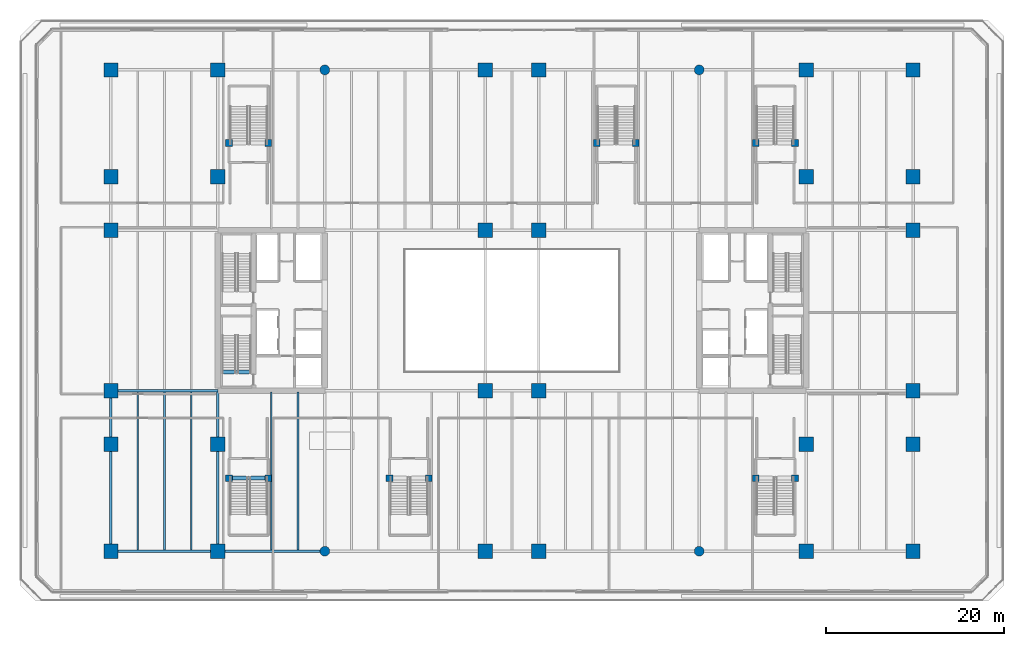
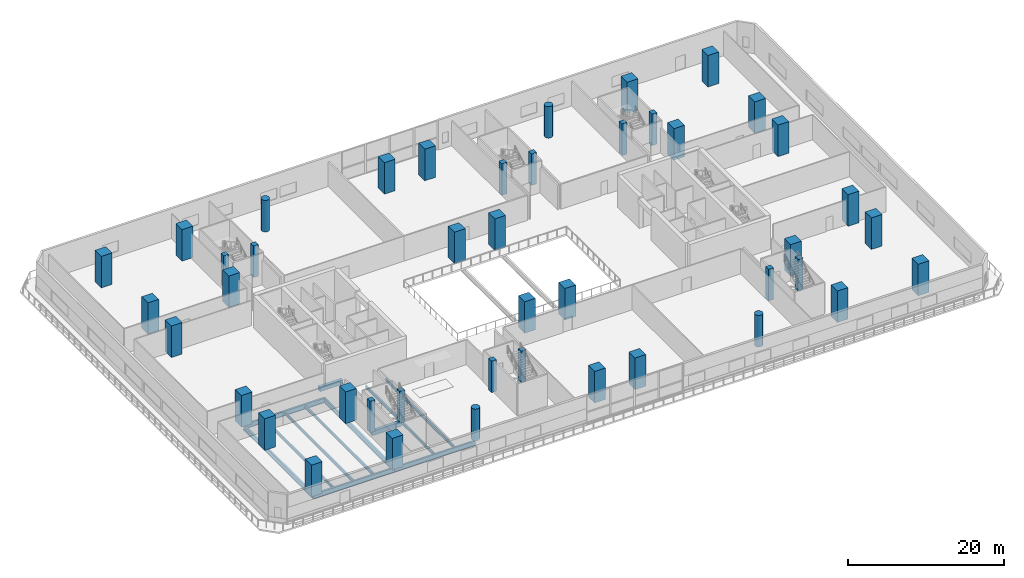
# One storey, part 1 of 27: 44 columns, 12 beams.
"""IFC4 building model written with IfcOpenShell, lengths in metres."""

import ifcopenshell
import ifcopenshell.guid

model = None  # the IFC model being written
_history = None  # IfcOwnerHistory: only IFC2X3 demands one
_inside = {}  # id of a spatial element -> (the spatial element, [elements in it])
_under = {}  # id of a project, library or spatial element -> (it, [spatial elements below it])
_declared = {}  # id of a project -> (the project, [libraries it declares])
_typed = {}  # id of a type object -> (the type object, [elements of that type])
_made_of = {}  # id of a material, layer set ... -> (it, [elements and type objects made of it])


def new_model(schema):
    """Start an empty IFC model of exactly this schema.

    Asked for "IFC4X3", IfcOpenShell would pick the latest addendum, in which some entities
    have other attributes; the version numbers below select the first issue.
    IFC2X3 requires an IfcOwnerHistory on every rooted entity: one is made here for all.
    """
    global model, _history
    if schema == "IFC4X3":
        model = ifcopenshell.file(schema_version=(4, 3, 0, 0))
    else:
        model = ifcopenshell.file(schema=schema)
    _inside.clear()
    _under.clear()
    _declared.clear()
    _typed.clear()
    _made_of.clear()
    _history = None
    if model.schema == "IFC2X3":
        org = make("IfcOrganization", Name="unknown")
        user = make(
            "IfcPersonAndOrganization",
            ThePerson=make("IfcPerson", FamilyName="unknown"),
            TheOrganization=org,
        )
        app = make(
            "IfcApplication",
            ApplicationDeveloper=org,
            Version="unknown",
            ApplicationFullName="unknown",
            ApplicationIdentifier="unknown",
        )
        _history = make(
            "IfcOwnerHistory",
            OwningUser=user,
            OwningApplication=app,
            ChangeAction="ADDED",
            CreationDate=0,
        )
    return model


def make(cls, **values):
    """One entity of the class cls with the attributes given. An attribute that is None is left unset."""
    return model.create_entity(
        cls, **{name: value for name, value in values.items() if value is not None}
    )


def rooted(cls, **values):
    """An entity with a GlobalId (a new one), such as an element, a storey or a relation."""
    return make(cls, GlobalId=ifcopenshell.guid.new(), OwnerHistory=_history, **values)


def si_unit(unit_type, name, prefix=None):
    """IfcSIUnit, for example si_unit("LENGTHUNIT", "METRE", prefix="MILLI")."""
    return make("IfcSIUnit", UnitType=unit_type, Prefix=prefix, Name=name)


def assignment(units):
    """IfcUnitAssignment: the units of a project."""
    return None if units is None else make("IfcUnitAssignment", Units=units)


def point(xyz):
    """IfcCartesianPoint."""
    return None if xyz is None else make("IfcCartesianPoint", Coordinates=xyz)


def direction(xyz):
    """IfcDirection."""
    return None if xyz is None else make("IfcDirection", DirectionRatios=xyz)


def frame(location, z_axis=None, x_axis=None):
    """IfcAxis2Placement3D, a coordinate frame: its origin and axes. An axis left out is left unset."""
    return make(
        "IfcAxis2Placement3D",
        Location=point(location),
        Axis=direction(z_axis),
        RefDirection=direction(x_axis),
    )


def frame_2d(location, x_axis=None):
    """IfcAxis2Placement2D, a coordinate frame in the plane: its origin and x axis."""
    return make(
        "IfcAxis2Placement2D", Location=point(location), RefDirection=direction(x_axis)
    )


def origin():
    """The frame at (0, 0, 0) with its axes left unset."""
    return frame((0.0, 0.0, 0.0))


def origin_2d():
    """The frame at (0, 0) in the plane with its x axis left unset."""
    return frame_2d((0.0, 0.0))


def place(relative_to, where):
    """IfcLocalPlacement: puts the frame where relative to a parent placement (None: the world)."""
    return make(
        "IfcLocalPlacement", PlacementRelTo=relative_to, RelativePlacement=where
    )


def context(
    kind, dimensions, precision=None, world=None, true_north=None, identifier=None
):
    """IfcGeometricRepresentationContext, for example the 3D "Model" context."""
    return make(
        "IfcGeometricRepresentationContext",
        ContextIdentifier=identifier,
        ContextType=kind,
        CoordinateSpaceDimension=dimensions,
        Precision=precision,
        WorldCoordinateSystem=world,
        TrueNorth=true_north,
    )


def subcontext(parent, identifier, kind, view, scale=None):
    """IfcGeometricRepresentationSubContext, for example "Body" below "Model"."""
    return make(
        "IfcGeometricRepresentationSubContext",
        ContextIdentifier=identifier,
        ContextType=kind,
        ParentContext=parent,
        TargetScale=scale,
        TargetView=view,
    )


def project(units=None, contexts=None):
    """IfcProject with its units and contexts."""
    return rooted(
        "IfcProject",
        Name="project",
        RepresentationContexts=contexts,
        UnitsInContext=assignment(units),
    )


def spatial(cls, under=None, at=None, **own):
    """A site, building, storey or space (cls), placed at a placement, below another one or the project."""
    s = rooted(cls, ObjectPlacement=at, **own)
    if under is not None:
        _under.setdefault(under.id(), (under, []))[1].append(s)
    return s


def profile(cls, at=None, kind="AREA", **sizes):
    """A parametric profile (cls). Its sizes go by their IFC names, for example OverallWidth=200.0."""
    return make(cls, ProfileType=kind, Position=at, **sizes)


def rectangle(**sizes):
    """IfcRectangleProfileDef."""
    return profile("IfcRectangleProfileDef", **sizes)


def circle(**sizes):
    """IfcCircleProfileDef."""
    return profile("IfcCircleProfileDef", **sizes)


def i_section(**sizes):
    """IfcIShapeProfileDef."""
    return profile("IfcIShapeProfileDef", **sizes)


def extrude(swept, where, along, depth):
    """IfcExtrudedAreaSolid: the profile swept, set in the frame where, extruded along a direction by depth."""
    return make(
        "IfcExtrudedAreaSolid",
        SweptArea=swept,
        Position=where,
        ExtrudedDirection=direction(along),
        Depth=depth,
    )


def shape(context_of_items, identifier, shape_type, items):
    """IfcShapeRepresentation: the items that make up one representation, for example the "Body"."""
    return make(
        "IfcShapeRepresentation",
        ContextOfItems=context_of_items,
        RepresentationIdentifier=identifier,
        RepresentationType=shape_type,
        Items=items,
    )


def material(Name=None, Category=None):
    """IfcMaterial."""
    return make("IfcMaterial", Name=Name, Category=Category)


def material_profile(
    of_material, cross_section, Name=None, Category=None, Priority=None
):
    """IfcMaterialProfile: a cross section and its material."""
    return make(
        "IfcMaterialProfile",
        Name=Name,
        Material=of_material,
        Profile=cross_section,
        Priority=Priority,
        Category=Category,
    )


def profile_set(profiles, Name=None, composite=None):
    """IfcMaterialProfileSet."""
    return make(
        "IfcMaterialProfileSet",
        Name=Name,
        MaterialProfiles=profiles,
        CompositeProfile=composite,
    )


def made_of(thing, what):
    """Note that an element or type object is made of a material, layer set ...; save() writes the relation."""
    if what is not None:
        _made_of.setdefault(what.id(), (what, []))[1].append(thing)
    return thing


def type_object(cls, material=None, **own):
    """A type object (cls), such as IfcWallType, which elements share."""
    return made_of(rooted(cls, **own), material)


def element(
    cls,
    number,
    at=None,
    inside=None,
    cuts=None,
    type_object=None,
    material=None,
    context=None,
    identifier="Body",
    shape_type=None,
    held_by="IfcProductDefinitionShape",
    body=None,
    shapes=None,
    **own,
):
    """One element of the class cls, such as IfcWall. Its Tag is "e" and its number.

    at: its placement. inside: the storey or other place that contains it. cuts: it is an
    opening in that element (IfcRelVoidsElement). A single representation is given by context,
    identifier, shape_type and body (its items); several are given by shapes. held_by: the class
    of the entity that holds the representations. save() writes the other relations.
    """
    e = rooted(cls, Tag="e%d" % number, ObjectPlacement=at, **own)
    if body is not None:
        shapes = [shape(context, identifier, shape_type, body)]
    if shapes is not None:
        e.Representation = make(held_by, Representations=shapes)
    if inside is not None:
        _inside.setdefault(inside.id(), (inside, []))[1].append(e)
    if cuts is not None:
        rooted(
            "IfcRelVoidsElement", RelatingBuildingElement=cuts, RelatedOpeningElement=e
        )
    if type_object is not None:
        _typed.setdefault(type_object.id(), (type_object, []))[1].append(e)
    return made_of(e, material)


def aggregate(whole, parts):
    """IfcRelAggregates: a whole, such as a stair, and the parts it consists of."""
    return rooted("IfcRelAggregates", RelatingObject=whole, RelatedObjects=parts)


def save(model, path):
    """Write the relations noted so far, then the file.

    IfcRelAggregates (storeys below a building ...), IfcRelContainedInSpatialStructure (elements
    in a storey), IfcRelDefinesByType, IfcRelAssociatesMaterial and IfcRelDeclares: one each for
    every whole, place, type object, material and project.
    """
    for whole, parts in _under.values():
        aggregate(whole, parts)
    for where, things in _inside.values():
        rooted(
            "IfcRelContainedInSpatialStructure",
            RelatedElements=things,
            RelatingStructure=where,
        )
    for kind, things in _typed.values():
        rooted("IfcRelDefinesByType", RelatedObjects=things, RelatingType=kind)
    for what, things in _made_of.values():
        rooted("IfcRelAssociatesMaterial", RelatedObjects=things, RelatingMaterial=what)
    for by, libraries in _declared.values():
        rooted("IfcRelDeclares", RelatingContext=by, RelatedDefinitions=libraries)
    model.write(path)


model = new_model("IFC4")

# Units and contexts
model_context = context("Model", 3, precision=1e-05, world=origin(), true_north=direction((0.0, 1.0)))
body_context = subcontext(model_context, "Body", "Model", "MODEL_VIEW")
ifc_project = project(units=[si_unit("LENGTHUNIT", "METRE"), si_unit("AREAUNIT", "SQUARE_METRE"), si_unit("VOLUMEUNIT", "CUBIC_METRE"), si_unit("PLANEANGLEUNIT", "RADIAN"), si_unit("MASSUNIT", "GRAM", prefix="KILO")], contexts=[model_context])

# Site, building, storey
site_placement = place(None, origin())
site = spatial("IfcSite", under=ifc_project, at=site_placement, CompositionType="ELEMENT")
building_placement = place(site_placement, origin())
building = spatial("IfcBuilding", under=site, at=building_placement, Name="Tanjung Sevakor Pilgrim Tower", CompositionType="ELEMENT")
storey_placement = place(building_placement, frame((0.0, 0.0, 9.89990234375)))
storey = spatial("IfcBuildingStorey", under=building, at=storey_placement, Name="L03", CompositionType="ELEMENT", Elevation=9.89990234375)

# Columns
ifc_material_1 = material(Name="Concrete C60/75", Category="concrete")
ifc_material_profile_1 = material_profile(ifc_material_1, circle(Radius=0.550048828125, at=origin_2d()))
ifc_profile_set_1 = profile_set([ifc_material_profile_1], Name="Concrete C60/75")
column_type_1 = type_object("IfcColumnType", Name="COL-C-D1100-RC-COL_D1100", PredefinedType="COLUMN", material=ifc_profile_set_1)
for number, where, z_axis, x_axis, name in (
    (1, (36.0, 6.60009765625, 0.0), (0.0, 0.0, 1.0), (1.0, 0.0, 0.0), "L03 Column MC-036-066"),
    (2, (36.0, 60.60009765625, 0.0), (0.0, 0.0, 1.0), (1.0, 0.0, 0.0), "L03 Column MC-036-606"),
    (3, (78.0, 6.60009765625, 0.0), (0.0, 0.0, 1.0), (1.0, 0.0, 0.0), "L03 Column MC-078-066"),
    (4, (78.0, 60.60009765625, 0.0), (0.0, 0.0, 1.0), (1.0, 0.0, 0.0), "L03 Column MC-078-606"),
):
    element("IfcColumn", number, at=place(storey_placement, frame(where, z_axis=z_axis, x_axis=x_axis)), inside=storey, type_object=column_type_1, Name=name, PredefinedType="COLUMN", context=body_context, shape_type="SweptSolid", body=[
        extrude(circle(Radius=0.550048828125, at=origin_2d()), origin(), (0.0, 0.0, 1.0), 4.9501953125),
    ])
ifc_material_2 = material(Name="Concrete C60/75", Category="concrete")
ifc_material_profile_2 = material_profile(ifc_material_2, rectangle(XDim=1.60009765625, YDim=1.60009765625, at=origin_2d()))
ifc_profile_set_2 = profile_set([ifc_material_profile_2], Name="Concrete C60/75")
column_type_2 = type_object("IfcColumnType", Name="COL-C-M1600-RC_1600x1600", PredefinedType="COLUMN", material=ifc_profile_set_2)
for number, where, z_axis, x_axis, name in (
    (5, (12.0, 6.60009765625, 0.0), (0.0, 0.0, 1.0), (1.0, 0.0, 0.0), "L03 Column MC-012-066"),
    (6, (12.0, 24.60009765625, 0.0), (0.0, 0.0, 1.0), (1.0, 0.0, 0.0), "L03 Column MC-012-246"),
    (7, (12.0, 42.60009765625, 0.0), (0.0, 0.0, 1.0), (1.0, 0.0, 0.0), "L03 Column MC-012-426"),
    (8, (12.0, 60.60009765625, 0.0), (0.0, 0.0, 1.0), (1.0, 0.0, 0.0), "L03 Column MC-012-606"),
    (9, (24.0, 6.60009765625, 0.0), (0.0, 0.0, 1.0), (1.0, 0.0, 0.0), "L03 Column MC-024-066"),
    (10, (24.0, 60.60009765625, 0.0), (0.0, 0.0, 1.0), (1.0, 0.0, 0.0), "L03 Column MC-024-606"),
    (11, (54.0, 6.60009765625, 0.0), (0.0, 0.0, 1.0), (1.0, 0.0, 0.0), "L03 Column MC-054-066"),
    (12, (54.0, 24.60009765625, 0.0), (0.0, 0.0, 1.0), (1.0, 0.0, 0.0), "L03 Column MC-054-246"),
    (13, (54.0, 42.60009765625, 0.0), (0.0, 0.0, 1.0), (1.0, 0.0, 0.0), "L03 Column MC-054-426"),
    (14, (54.0, 60.60009765625, 0.0), (0.0, 0.0, 1.0), (1.0, 0.0, 0.0), "L03 Column MC-054-606"),
    (15, (60.0, 6.60009765625, 0.0), (0.0, 0.0, 1.0), (1.0, 0.0, 0.0), "L03 Column MC-060-066"),
    (16, (60.0, 24.60009765625, 0.0), (0.0, 0.0, 1.0), (1.0, 0.0, 0.0), "L03 Column MC-060-246"),
    (17, (60.0, 42.60009765625, 0.0), (0.0, 0.0, 1.0), (1.0, 0.0, 0.0), "L03 Column MC-060-426"),
    (18, (60.0, 60.60009765625, 0.0), (0.0, 0.0, 1.0), (1.0, 0.0, 0.0), "L03 Column MC-060-606"),
    (19, (90.0, 6.60009765625, 0.0), (0.0, 0.0, 1.0), (1.0, 0.0, 0.0), "L03 Column MC-090-066"),
    (20, (90.0, 60.60009765625, 0.0), (0.0, 0.0, 1.0), (1.0, 0.0, 0.0), "L03 Column MC-090-606"),
    (21, (102.0, 6.60009765625, 0.0), (0.0, 0.0, 1.0), (1.0, 0.0, 0.0), "L03 Column MC-102-066"),
    (22, (102.0, 24.60009765625, 0.0), (0.0, 0.0, 1.0), (1.0, 0.0, 0.0), "L03 Column MC-102-246"),
    (23, (102.0, 42.60009765625, 0.0), (0.0, 0.0, 1.0), (1.0, 0.0, 0.0), "L03 Column MC-102-426"),
    (24, (102.0, 60.60009765625, 0.0), (0.0, 0.0, 1.0), (1.0, 0.0, 0.0), "L03 Column MC-102-606"),
    (25, (12.0, 18.60009765625, 0.0), (0.0, 0.0, 1.0), (1.0, 0.0, 0.0), "L03 Column MCE-012-186"),
    (26, (12.0, 48.60009765625, 0.0), (0.0, 0.0, 1.0), (1.0, 0.0, 0.0), "L03 Column MCE-012-486"),
    (27, (24.0, 18.60009765625, 0.0), (0.0, 0.0, 1.0), (1.0, 0.0, 0.0), "L03 Column MCE-024-186"),
    (28, (24.0, 48.60009765625, 0.0), (0.0, 0.0, 1.0), (1.0, 0.0, 0.0), "L03 Column MCE-024-486"),
    (29, (90.0, 18.60009765625, 0.0), (0.0, 0.0, 1.0), (1.0, 0.0, 0.0), "L03 Column MCE-090-186"),
    (30, (90.0, 48.60009765625, 0.0), (0.0, 0.0, 1.0), (1.0, 0.0, 0.0), "L03 Column MCE-090-486"),
    (31, (102.0, 18.60009765625, 0.0), (0.0, 0.0, 1.0), (1.0, 0.0, 0.0), "L03 Column MCE-102-186"),
    (32, (102.0, 48.60009765625, 0.0), (0.0, 0.0, 1.0), (1.0, 0.0, 0.0), "L03 Column MCE-102-486"),
):
    element("IfcColumn", number, at=place(storey_placement, frame(where, z_axis=z_axis, x_axis=x_axis)), inside=storey, type_object=column_type_2, Name=name, PredefinedType="COLUMN", context=body_context, shape_type="SweptSolid", body=[
        extrude(rectangle(XDim=1.60009765625, YDim=1.60009765625, at=origin_2d()), origin(), (0.0, 0.0, 1.0), 4.9501953125),
    ])
ifc_material_3 = material(Name="Concrete C60/75", Category="concrete")
ifc_material_profile_3 = material_profile(ifc_material_3, rectangle(XDim=0.75, YDim=0.75, at=origin_2d()))
ifc_profile_set_3 = profile_set([ifc_material_profile_3], Name="Concrete C60/75")
column_type_3 = type_object("IfcColumnType", Name="COL-C-T750-RC_750x750", PredefinedType="COLUMN", material=ifc_profile_set_3)
for number, where, z_axis, x_axis, name in (
    (33, (25.25, 14.800048828125, 0.0), (0.0, 0.0, 1.0), (1.0, 0.0, 0.0), "L03 Stair Frame Column PS1P1"),
    (34, (29.64990234375, 14.800048828125, 0.0), (0.0, 0.0, 1.0), (1.0, 0.0, 0.0), "L03 Stair Frame Column PS1P2"),
    (35, (25.25, 52.39990234375, 0.0), (0.0, 0.0, 1.0), (1.0, 0.0, 0.0), "L03 Stair Frame Column PS2P1"),
    (36, (29.64990234375, 52.39990234375, 0.0), (0.0, 0.0, 1.0), (1.0, 0.0, 0.0), "L03 Stair Frame Column PS2P2"),
    (37, (43.25, 14.800048828125, 0.0), (0.0, 0.0, 1.0), (1.0, 0.0, 0.0), "L03 Stair Frame Column PS3P1"),
    (38, (47.64990234375, 14.800048828125, 0.0), (0.0, 0.0, 1.0), (1.0, 0.0, 0.0), "L03 Stair Frame Column PS3P2"),
    (39, (66.5, 52.39990234375, 0.0), (0.0, 0.0, 1.0), (1.0, 0.0, 0.0), "L03 Stair Frame Column PS4P1"),
    (40, (70.89990234375, 52.39990234375, 0.0), (0.0, 0.0, 1.0), (1.0, 0.0, 0.0), "L03 Stair Frame Column PS4P2"),
    (41, (84.35009765625, 14.800048828125, 0.0), (0.0, 0.0, 1.0), (1.0, 0.0, 0.0), "L03 Stair Frame Column PS5P1"),
    (42, (88.75, 14.800048828125, 0.0), (0.0, 0.0, 1.0), (1.0, 0.0, 0.0), "L03 Stair Frame Column PS5P2"),
    (43, (84.35009765625, 52.39990234375, 0.0), (0.0, 0.0, 1.0), (1.0, 0.0, 0.0), "L03 Stair Frame Column PS6P1"),
    (44, (88.75, 52.39990234375, 0.0), (0.0, 0.0, 1.0), (1.0, 0.0, 0.0), "L03 Stair Frame Column PS6P2"),
):
    element("IfcColumn", number, at=place(storey_placement, frame(where, z_axis=z_axis, x_axis=x_axis)), inside=storey, type_object=column_type_3, Name=name, PredefinedType="COLUMN", context=body_context, shape_type="SweptSolid", body=[
        extrude(rectangle(XDim=0.75, YDim=0.75, at=origin_2d()), origin(), (0.0, 0.0, 1.0), 4.9501953125),
    ])

# Beams
ifc_material_4 = material(Name="Steel S355J2", Category="steel")
ifc_material_profile_4 = material_profile(ifc_material_4, i_section(OverallWidth=0.26806640625, OverallDepth=0.769775390625, WebThickness=0.015625, FlangeThickness=0.025390625, FilletRadius=0.0166015625, at=origin_2d()))
ifc_profile_set_4 = profile_set([ifc_material_profile_4], Name="Steel S355J2")
beam_type_1 = type_object("IfcBeamType", Name="BM-B-G1-UB_762x267x197", PredefinedType="BEAM", material=ifc_profile_set_4)
for number, where, z_axis, x_axis, name in (
    (45, (12.0, 6.60009765625, -0.664794921875), (0.0, 1.0, 0.0), (-1.0, 0.0, 0.0), "L03 Podium Girder NS X12-1"),
    (46, (24.0, 6.60009765625, -0.664794921875), (0.0, 1.0, 0.0), (-1.0, 0.0, 0.0), "L03 Podium Girder NS X24-1"),
):
    element("IfcBeam", number, at=place(storey_placement, frame(where, z_axis=z_axis, x_axis=x_axis)), inside=storey, type_object=beam_type_1, Name=name, PredefinedType="BEAM", context=body_context, shape_type="SweptSolid", body=[
        extrude(i_section(OverallWidth=0.26806640625, OverallDepth=0.769775390625, WebThickness=0.015625, FlangeThickness=0.025390625, FilletRadius=0.0166015625, at=origin_2d()), origin(), (0.0, 0.0, 1.0), 18.0),
    ])
ifc_material_5 = material(Name="Steel S355J2", Category="steel")
ifc_material_profile_5 = material_profile(ifc_material_5, i_section(OverallWidth=0.19287109375, OverallDepth=0.46728515625, WebThickness=0.011474609375, FlangeThickness=0.01953125, FilletRadius=0.01025390625, at=origin_2d()))
ifc_profile_set_5 = profile_set([ifc_material_profile_5], Name="Steel S355J2")
beam_type_2 = type_object("IfcBeamType", Name="BM-B-J1-UB_457x191x98", PredefinedType="JOIST", material=ifc_profile_set_5)
for number, where, z_axis, x_axis, name in (
    (47, (15.0, 6.7333984375, -0.513427734375), (0.0, 1.0, 0.0), (-1.0, 0.0, 0.0), "L03 Secondary Joist 001"),
    (48, (18.0, 6.7333984375, -0.513427734375), (0.0, 1.0, 0.0), (-1.0, 0.0, 0.0), "L03 Secondary Joist 004"),
    (49, (21.0, 6.7333984375, -0.513427734375), (0.0, 1.0, 0.0), (-1.0, 0.0, 0.0), "L03 Secondary Joist 007"),
    (50, (30.0, 6.7333984375, -0.513427734375), (0.0, 1.0, 0.0), (-1.0, 0.0, 0.0), "L03 Secondary Joist 010"),
    (51, (33.0, 6.7333984375, -0.513427734375), (0.0, 1.0, 0.0), (-1.0, 0.0, 0.0), "L03 Secondary Joist 012"),
):
    element("IfcBeam", number, at=place(storey_placement, frame(where, z_axis=z_axis, x_axis=x_axis)), inside=storey, type_object=beam_type_2, Name=name, PredefinedType="JOIST", context=body_context, shape_type="SweptSolid", body=[
        extrude(i_section(OverallWidth=0.19287109375, OverallDepth=0.46728515625, WebThickness=0.011474609375, FlangeThickness=0.01953125, FilletRadius=0.01025390625, at=origin_2d()), origin(), (0.0, 0.0, 1.0), 17.7333984375),
    ])
ifc_material_6 = material(Name="Concrete C60/75", Category="concrete")
ifc_material_profile_6 = material_profile(ifc_material_6, rectangle(XDim=0.449951171875, YDim=0.699951171875, at=origin_2d()))
ifc_profile_set_6 = profile_set([ifc_material_profile_6], Name="Concrete C60/75")
beam_type_3 = type_object("IfcBeamType", Name="BM-B-LN3-RC-BM_450x700", PredefinedType="LINTEL", material=ifc_profile_set_6)
beam_1_placement = place(storey_placement, frame((24.39990234375, 26.699951171875, -0.349853515625), z_axis=(1.0, 0.0, 0.0), x_axis=(0.0, 1.0, 0.0)))
element("IfcBeam", 52, at=beam_1_placement, inside=storey, type_object=beam_type_3, Name="L03 TS-W1 Stair Threshold Beam", PredefinedType="LINTEL", context=body_context, shape_type="SweptSolid", body=[
    extrude(rectangle(XDim=0.449951171875, YDim=0.699951171875, at=origin_2d()), origin(), (0.0, 0.0, 1.0), 3.400146484375),
])
beam_2_placement = place(storey_placement, frame((25.25, 14.800048828125, -0.349853515625), z_axis=(1.0, 0.0, 0.0), x_axis=(0.0, 1.0, 0.0)))
element("IfcBeam", 53, at=beam_2_placement, inside=storey, type_object=beam_type_3, Name="L03 PS-1 Stair Threshold Beam", PredefinedType="LINTEL", context=body_context, shape_type="SweptSolid", body=[
    extrude(rectangle(XDim=0.449951171875, YDim=0.699951171875, at=origin_2d()), origin(), (0.0, 0.0, 1.0), 4.39990234375),
])
ifc_material_7 = material(Name="Steel S355J2", Category="steel")
ifc_material_profile_7 = material_profile(ifc_material_7, i_section(OverallWidth=0.2666015625, OverallDepth=0.76220703125, WebThickness=0.014404296875, FlangeThickness=0.021484375, FilletRadius=0.0166015625, at=origin_2d()))
ifc_profile_set_7 = profile_set([ifc_material_profile_7], Name="Steel S355J2")
beam_type_4 = type_object("IfcBeamType", Name="BM-B-POD4-UB_762x267x173", PredefinedType="BEAM", material=ifc_profile_set_7)
for number, where, z_axis, x_axis, name in (
    (54, (12.0, 6.60009765625, -0.660888671875), (1.0, 0.0, 0.0), (0.0, 1.0, 0.0), "L03 Podium Girder EW Y6.6-1"),
    (55, (24.0, 6.60009765625, -0.660888671875), (1.0, 0.0, 0.0), (0.0, 1.0, 0.0), "L03 Podium Girder EW Y6.6-2"),
    (56, (12.0, 24.60009765625, -0.660888671875), (1.0, 0.0, 0.0), (0.0, 1.0, 0.0), "L03 Podium Girder EW Y24.6-1"),
):
    element("IfcBeam", number, at=place(storey_placement, frame(where, z_axis=z_axis, x_axis=x_axis)), inside=storey, type_object=beam_type_4, Name=name, PredefinedType="BEAM", context=body_context, shape_type="SweptSolid", body=[
        extrude(i_section(OverallWidth=0.2666015625, OverallDepth=0.76220703125, WebThickness=0.014404296875, FlangeThickness=0.021484375, FilletRadius=0.0166015625, at=origin_2d()), origin(), (0.0, 0.0, 1.0), 12.0),
    ])

save(model, "model.ifc")
